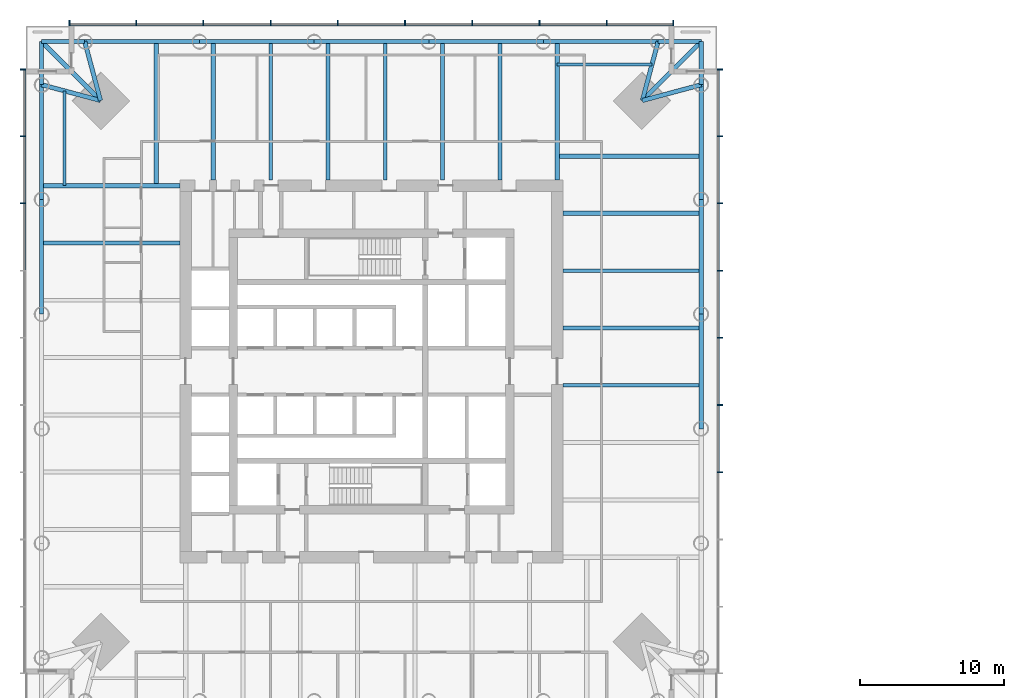
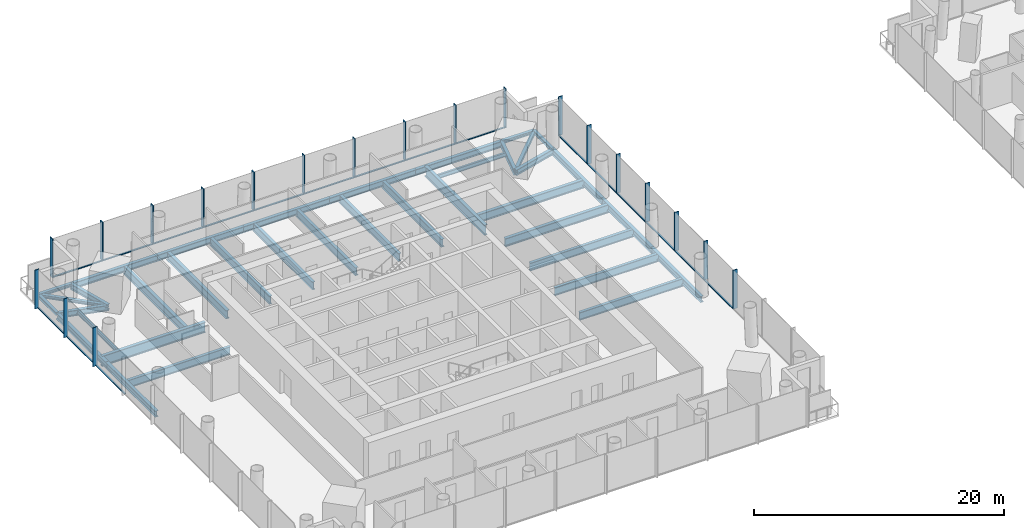
# One storey, part 3 of 18: 38 members, 37 beams, 3 elements without a shape of their own.
"""IFC4 building model written with IfcOpenShell, lengths in metres."""

from ifc_helpers import new_model, si_unit, direction, frame, origin, origin_2d, place, context, subcontext, project, spatial, rectangle, i_section, extrude, material, material_profile, profile_set, type_object, element, aggregate, save


model = new_model("IFC4")

# Units and contexts
model_context = context("Model", 3, precision=1e-05, world=origin(), true_north=direction((0.0, 1.0)))
body_context = subcontext(model_context, "Body", "Model", "MODEL_VIEW")
ifc_project = project(units=[si_unit("LENGTHUNIT", "METRE"), si_unit("AREAUNIT", "SQUARE_METRE"), si_unit("VOLUMEUNIT", "CUBIC_METRE"), si_unit("PLANEANGLEUNIT", "RADIAN"), si_unit("MASSUNIT", "GRAM", prefix="KILO")], contexts=[model_context])

# Site, building, storey
site_placement = place(None, origin())
site = spatial("IfcSite", under=ifc_project, at=site_placement, CompositionType="ELEMENT")
building_placement = place(site_placement, origin())
building = spatial("IfcBuilding", under=site, at=building_placement, Name="Ostroluk Exchange", CompositionType="ELEMENT")
storey_placement = place(building_placement, frame((0.0, 0.0, 55.199951171875)))
storey = spatial("IfcBuildingStorey", under=building, at=storey_placement, Name="L13", CompositionType="ELEMENT", Elevation=55.199951171875)

# Beams
ifc_material_1 = material(Name="Steel S355", Category="steel")
ifc_material_profile_1 = material_profile(ifc_material_1, i_section(OverallWidth=0.300048828125, OverallDepth=0.300048828125, WebThickness=0.010986328125, FlangeThickness=0.01904296875, FilletRadius=0.027099609375, at=origin_2d()), Name="HEB 300")
ifc_profile_set_1 = profile_set([ifc_material_profile_1], Name="Steel S355")
beam_type_1 = type_object("IfcBeamType", Name="Balcony beam HEB 300", PredefinedType="BEAM", material=ifc_profile_set_1)
for number, where, z_axis, x_axis, name in (
    (1, (67.9072265625, 65.9072265625, -0.329833984375), (0.0, 1.0, 0.0), (-1.0, 0.0, 0.0), "T1 east balcony beam a"),
    (2, (64.9072265625, 68.9072265625, -0.329833984375), (1.0, 0.0, 0.0), (0.0, 1.0, 0.0), "T1 east balcony beam b"),
):
    element("IfcBeam", number, at=place(storey_placement, frame(where, z_axis=z_axis, x_axis=x_axis)), inside=storey, type_object=beam_type_1, Name=name, PredefinedType="BEAM", context=body_context, shape_type="SweptSolid", body=[
        extrude(i_section(OverallWidth=0.300048828125, OverallDepth=0.300048828125, WebThickness=0.010986328125, FlangeThickness=0.01904296875, FilletRadius=0.027099609375, at=origin_2d()), origin(), (0.0, 0.0, 1.0), 3.0),
    ])
beam_1_placement = place(storey_placement, frame((63.80712890625, 64.80712890625, -0.329833984375), z_axis=(0.707106781187, 0.707106781187, 0.0), x_axis=(-0.707106781187, 0.707106781187, 0.0)))
element("IfcBeam", 3, at=beam_1_placement, inside=storey, type_object=beam_type_1, Name="T1 east balcony beam c", PredefinedType="BEAM", context=body_context, shape_type="SweptSolid", body=[
    extrude(i_section(OverallWidth=0.300048828125, OverallDepth=0.300048828125, WebThickness=0.010986328125, FlangeThickness=0.01904296875, FilletRadius=0.027099609375, at=origin_2d()), origin(), (0.0, 0.0, 1.0), 5.79833984375),
])
for number, where, z_axis, x_axis, name in (
    (4, (25.0927734375, 68.9072265625, -0.329833984375), (-1.0, 0.0, 0.0), (0.0, -1.0, 0.0), "T1 north balcony beam a"),
    (5, (22.0927734375, 65.9072265625, -0.329833984375), (0.0, 1.0, 0.0), (-1.0, 0.0, 0.0), "T1 north balcony beam b"),
):
    element("IfcBeam", number, at=place(storey_placement, frame(where, z_axis=z_axis, x_axis=x_axis)), inside=storey, type_object=beam_type_1, Name=name, PredefinedType="BEAM", context=body_context, shape_type="SweptSolid", body=[
        extrude(i_section(OverallWidth=0.300048828125, OverallDepth=0.300048828125, WebThickness=0.010986328125, FlangeThickness=0.01904296875, FilletRadius=0.027099609375, at=origin_2d()), origin(), (0.0, 0.0, 1.0), 3.0),
    ])
beam_2_placement = place(storey_placement, frame((26.19287109375, 64.80712890625, -0.329833984375), z_axis=(-0.707106781187, 0.707106781187, 0.0), x_axis=(-0.707106781187, -0.707106781187, 0.0)))
element("IfcBeam", 6, at=beam_2_placement, inside=storey, type_object=beam_type_1, Name="T1 north balcony beam c", PredefinedType="BEAM", context=body_context, shape_type="SweptSolid", body=[
    extrude(i_section(OverallWidth=0.300048828125, OverallDepth=0.300048828125, WebThickness=0.010986328125, FlangeThickness=0.01904296875, FilletRadius=0.027099609375, at=origin_2d()), origin(), (0.0, 0.0, 1.0), 5.79833984375),
])
ifc_material_2 = material(Name="Steel S355", Category="steel")
ifc_material_profile_2 = material_profile(ifc_material_2, i_section(OverallWidth=0.300048828125, OverallDepth=0.550048828125, WebThickness=0.014892578125, FlangeThickness=0.029052734375, FilletRadius=0.027099609375, at=origin_2d()), Name="HEB 550")
ifc_profile_set_2 = profile_set([ifc_material_profile_2], Name="Steel S355")
beam_type_2 = type_object("IfcBeamType", Name="Corner edge beam HEB 550", PredefinedType="SPANDREL", material=ifc_profile_set_2)
for number, where, z_axis, x_axis, name in (
    (7, (63.80712890625, 64.80712890625, -0.454833984375), (0.965838624319, 0.259144268261, 0.0), (-0.259144268261, 0.965838624319, 0.0), "T1 east corner edge beam a"),
    (8, (63.80712890625, 64.80712890625, -0.454833984375), (0.259144268261, 0.965838624319, 0.0), (-0.965838624319, 0.259144268261, 0.0), "T1 east corner edge beam b"),
    (9, (26.19287109375, 64.80712890625, -0.454833984375), (-0.259144268261, 0.965838624319, 0.0), (-0.965838624319, -0.259144268261, 0.0), "T1 north corner edge beam a"),
    (10, (26.19287109375, 64.80712890625, -0.454833984375), (-0.965838624319, 0.259144268261, 0.0), (-0.259144268261, -0.965838624319, 0.0), "T1 north corner edge beam b"),
):
    element("IfcBeam", number, at=place(storey_placement, frame(where, z_axis=z_axis, x_axis=x_axis)), inside=storey, type_object=beam_type_2, Name=name, PredefinedType="SPANDREL", context=body_context, shape_type="SweptSolid", body=[
        extrude(i_section(OverallWidth=0.300048828125, OverallDepth=0.550048828125, WebThickness=0.014892578125, FlangeThickness=0.029052734375, FilletRadius=0.027099609375, at=origin_2d()), origin(), (0.0, 0.0, 1.0), 4.2451171875),
    ])
ifc_material_3 = material(Name="Steel S355", Category="steel")
ifc_material_profile_3 = material_profile(ifc_material_3, i_section(OverallWidth=0.302978515625, OverallDepth=0.81396484375, WebThickness=0.02099609375, FlangeThickness=0.0400390625, FilletRadius=0.030029296875, at=origin_2d()), Name="HEM 800")
ifc_profile_set_3 = profile_set([ifc_material_profile_3], Name="Steel S355")
beam_type_3 = type_object("IfcBeamType", Name="Floor beam HEM 800", PredefinedType="BEAM", material=ifc_profile_set_3)
beam_3_placement = place(storey_placement, frame((58.300048828125, 56.971435546875, -0.5869140625), z_axis=(1.0, 0.0, 0.0), x_axis=(0.0, 1.0, 0.0)))
element("IfcBeam", 11, at=beam_3_placement, inside=storey, type_object=beam_type_3, Name="T1 east floor beam 6", PredefinedType="BEAM", context=body_context, shape_type="SweptSolid", body=[
    extrude(i_section(OverallWidth=0.302978515625, OverallDepth=0.81396484375, WebThickness=0.02099609375, FlangeThickness=0.0400390625, FilletRadius=0.030029296875, at=origin_2d()), origin(), (0.0, 0.0, 1.0), 9.607177734375),
])
beam_4_placement = place(storey_placement, frame((57.89990234375, 60.949951171875, -0.5869140625), z_axis=(1.0, 0.0, 0.0), x_axis=(0.0, 1.0, 0.0)))
element("IfcBeam", 12, at=beam_4_placement, inside=storey, type_object=beam_type_3, Name="T1 east floor beam 7", PredefinedType="BEAM", context=body_context, shape_type="SweptSolid", body=[
    extrude(i_section(OverallWidth=0.302978515625, OverallDepth=0.81396484375, WebThickness=0.02099609375, FlangeThickness=0.0400390625, FilletRadius=0.030029296875, at=origin_2d()), origin(), (0.0, 0.0, 1.0), 10.00732421875),
])
beam_5_placement = place(storey_placement, frame((34.028564453125, 59.300048828125, -0.5869140625), z_axis=(0.0, 1.0, 0.0), x_axis=(-1.0, 0.0, 0.0)))
element("IfcBeam", 13, at=beam_5_placement, inside=storey, type_object=beam_type_3, Name="T1 north floor beam 6", PredefinedType="BEAM", context=body_context, shape_type="SweptSolid", body=[
    extrude(i_section(OverallWidth=0.302978515625, OverallDepth=0.81396484375, WebThickness=0.02099609375, FlangeThickness=0.0400390625, FilletRadius=0.030029296875, at=origin_2d()), origin(), (0.0, 0.0, 1.0), 9.607177734375),
])
beam_6_placement = place(storey_placement, frame((30.050048828125, 58.89990234375, -0.5869140625), z_axis=(0.0, 1.0, 0.0), x_axis=(-1.0, 0.0, 0.0)))
element("IfcBeam", 14, at=beam_6_placement, inside=storey, type_object=beam_type_3, Name="T1 north floor beam 7", PredefinedType="BEAM", context=body_context, shape_type="SweptSolid", body=[
    extrude(i_section(OverallWidth=0.302978515625, OverallDepth=0.81396484375, WebThickness=0.02099609375, FlangeThickness=0.0400390625, FilletRadius=0.030029296875, at=origin_2d()), origin(), (0.0, 0.0, 1.0), 10.00732421875),
])
ifc_material_4 = material(Name="Steel S355", Category="steel")
ifc_material_profile_4 = material_profile(ifc_material_4, i_section(OverallWidth=0.179931640625, OverallDepth=0.39990234375, WebThickness=0.008544921875, FlangeThickness=0.013427734375, FilletRadius=0.02099609375, at=origin_2d()), Name="IPE 400")
ifc_profile_set_4 = profile_set([ifc_material_profile_4], Name="Steel S355")
beam_type_4 = type_object("IfcBeamType", Name="Floor beam IPE 400", PredefinedType="BEAM", material=ifc_profile_set_4)
for number, where, z_axis, x_axis, name in (
    (15, (57.89990234375, 67.30712890625, -0.3798828125), (1.0, 0.0, 0.0), (0.0, 1.0, 0.0), "T1 east floor beam 8"),
    (16, (23.69287109375, 58.89990234375, -0.3798828125), (0.0, 1.0, 0.0), (-1.0, 0.0, 0.0), "T1 north floor beam 8"),
):
    element("IfcBeam", number, at=place(storey_placement, frame(where, z_axis=z_axis, x_axis=x_axis)), inside=storey, type_object=beam_type_4, Name=name, PredefinedType="BEAM", context=body_context, shape_type="SweptSolid", body=[
        extrude(i_section(OverallWidth=0.179931640625, OverallDepth=0.39990234375, WebThickness=0.008544921875, FlangeThickness=0.013427734375, FilletRadius=0.02099609375, at=origin_2d()), origin(), (0.0, 0.0, 1.0), 6.577880859375),
    ])
ifc_material_5 = material(Name="Steel S355", Category="steel")
ifc_material_profile_5 = material_profile(ifc_material_5, i_section(OverallWidth=0.26806640625, OverallDepth=0.77001953125, WebThickness=0.015625, FlangeThickness=0.025390625, FilletRadius=0.01708984375, at=origin_2d()), Name="IPE 750x196")
ifc_profile_set_5 = profile_set([ifc_material_profile_5], Name="Steel S355")
beam_type_5 = type_object("IfcBeamType", Name="Floor beam IPE 750x196", PredefinedType="BEAM", material=ifc_profile_set_5)
for number, where, z_axis, x_axis, name in (
    (17, (58.300048828125, 45.03564453125, -0.56494140625), (1.0, 0.0, 0.0), (0.0, 1.0, 0.0), "T1 east floor beam 3"),
    (18, (58.300048828125, 49.014404296875, -0.56494140625), (1.0, 0.0, 0.0), (0.0, 1.0, 0.0), "T1 east floor beam 4"),
    (19, (58.300048828125, 52.992919921875, -0.56494140625), (1.0, 0.0, 0.0), (0.0, 1.0, 0.0), "T1 east floor beam 5"),
    (20, (53.92138671875, 59.300048828125, -0.56494140625), (0.0, 1.0, 0.0), (-1.0, 0.0, 0.0), "T1 north floor beam 1"),
    (21, (49.94287109375, 59.300048828125, -0.56494140625), (0.0, 1.0, 0.0), (-1.0, 0.0, 0.0), "T1 north floor beam 2"),
    (22, (45.96435546875, 59.300048828125, -0.56494140625), (0.0, 1.0, 0.0), (-1.0, 0.0, 0.0), "T1 north floor beam 3"),
    (23, (41.985595703125, 59.300048828125, -0.56494140625), (0.0, 1.0, 0.0), (-1.0, 0.0, 0.0), "T1 north floor beam 4"),
    (24, (38.007080078125, 59.300048828125, -0.56494140625), (0.0, 1.0, 0.0), (-1.0, 0.0, 0.0), "T1 north floor beam 5"),
    (25, (31.699951171875, 54.92138671875, -0.56494140625), (-1.0, 0.0, 0.0), (0.0, -1.0, 0.0), "T1 west floor beam 1"),
):
    element("IfcBeam", number, at=place(storey_placement, frame(where, z_axis=z_axis, x_axis=x_axis)), inside=storey, type_object=beam_type_5, Name=name, PredefinedType="BEAM", context=body_context, shape_type="SweptSolid", body=[
        extrude(i_section(OverallWidth=0.26806640625, OverallDepth=0.77001953125, WebThickness=0.015625, FlangeThickness=0.025390625, FilletRadius=0.01708984375, at=origin_2d()), origin(), (0.0, 0.0, 1.0), 9.607177734375),
    ])
ifc_material_6 = material(Name="Steel S355", Category="steel")
ifc_material_profile_6 = material_profile(ifc_material_6, i_section(OverallWidth=0.302001953125, OverallDepth=1.008056640625, WebThickness=0.02099609375, FlangeThickness=0.0400390625, FilletRadius=0.030029296875, at=origin_2d()), Name="HEM 1000")
ifc_profile_set_6 = profile_set([ifc_material_profile_6], Name="Steel S355")
beam_type_6 = type_object("IfcBeamType", Name="Girder HEM 1000", PredefinedType="BEAM", material=ifc_profile_set_6)
for number, where, z_axis, x_axis, name in (
    (26, (57.89990234375, 59.300048828125, -0.683837890625), (0.0, 1.0, 0.0), (-1.0, 0.0, 0.0), "T1 east girder"),
    (27, (31.699951171875, 58.89990234375, -0.683837890625), (-1.0, 0.0, 0.0), (0.0, -1.0, 0.0), "T1 north girder"),
):
    element("IfcBeam", number, at=place(storey_placement, frame(where, z_axis=z_axis, x_axis=x_axis)), inside=storey, type_object=beam_type_6, Name=name, PredefinedType="BEAM", context=body_context, shape_type="SweptSolid", body=[
        extrude(i_section(OverallWidth=0.302001953125, OverallDepth=1.008056640625, WebThickness=0.02099609375, FlangeThickness=0.0400390625, FilletRadius=0.030029296875, at=origin_2d()), origin(), (0.0, 0.0, 1.0), 9.607177734375),
    ])
ifc_material_7 = material(Name="Steel S355", Category="steel")
ifc_material_profile_7 = material_profile(ifc_material_7, i_section(OverallWidth=0.300048828125, OverallDepth=0.60009765625, WebThickness=0.015380859375, FlangeThickness=0.030029296875, FilletRadius=0.027099609375, at=origin_2d()), Name="HEB 600")
ifc_profile_set_7 = profile_set([ifc_material_profile_7], Name="Steel S355")
beam_type_7 = type_object("IfcBeamType", Name="Moment-connected edge beam HEB 600", PredefinedType="SPANDREL", material=ifc_profile_set_7)
for number, where, z_axis, x_axis, name in (
    (28, (67.9072265625, 42.0185546875, -0.47998046875), (0.0, 1.0, 0.0), (-1.0, 0.0, 0.0), "T1 east edge beam 3"),
    (29, (67.9072265625, 49.9814453125, -0.47998046875), (0.0, 1.0, 0.0), (-1.0, 0.0, 0.0), "T1 east edge beam 4"),
    (30, (67.9072265625, 57.9443359375, -0.47998046875), (0.0, 1.0, 0.0), (-1.0, 0.0, 0.0), "T1 east edge beam 5"),
    (31, (64.9072265625, 68.9072265625, -0.47998046875), (-1.0, 0.0, 0.0), (0.0, -1.0, 0.0), "T1 north edge beam 1"),
    (32, (56.9443359375, 68.9072265625, -0.47998046875), (-1.0, 0.0, 0.0), (0.0, -1.0, 0.0), "T1 north edge beam 2"),
    (33, (48.9814453125, 68.9072265625, -0.47998046875), (-1.0, 0.0, 0.0), (0.0, -1.0, 0.0), "T1 north edge beam 3"),
    (34, (41.0185546875, 68.9072265625, -0.47998046875), (-1.0, 0.0, 0.0), (0.0, -1.0, 0.0), "T1 north edge beam 4"),
    (35, (33.0556640625, 68.9072265625, -0.47998046875), (-1.0, 0.0, 0.0), (0.0, -1.0, 0.0), "T1 north edge beam 5"),
    (36, (22.0927734375, 65.9072265625, -0.47998046875), (0.0, -1.0, 0.0), (1.0, 0.0, 0.0), "T1 west edge beam 1"),
    (37, (22.0927734375, 57.9443359375, -0.47998046875), (0.0, -1.0, 0.0), (1.0, 0.0, 0.0), "T1 west edge beam 2"),
):
    element("IfcBeam", number, at=place(storey_placement, frame(where, z_axis=z_axis, x_axis=x_axis)), inside=storey, type_object=beam_type_7, Name=name, PredefinedType="SPANDREL", context=body_context, shape_type="SweptSolid", body=[
        extrude(i_section(OverallWidth=0.300048828125, OverallDepth=0.60009765625, WebThickness=0.015380859375, FlangeThickness=0.030029296875, FilletRadius=0.027099609375, at=origin_2d()), origin(), (0.0, 0.0, 1.0), 7.962890625),
    ])

# Curtain wall, members
ifc_material_8 = material(Name="Laminated clear glass", Category="glass")
curtain_wall_type = type_object("IfcCurtainWallType", Name="Office tower facade", PredefinedType="USERDEFINED", material=ifc_material_8)
curtain_wall_1_placement = place(storey_placement, origin())
curtain_wall_1 = element("IfcCurtainWall", 38, at=curtain_wall_1_placement, inside=storey, type_object=curtain_wall_type, Name="Office tower east facade L13", ObjectType="UNITISED CURTAIN WALL", PredefinedType="USERDEFINED")
ifc_material_9 = material(Name="Aluminium mullion", Category="aluminium")
ifc_material_profile_8 = material_profile(ifc_material_9, rectangle(XDim=0.14990234375, YDim=0.080078125, at=origin_2d()), Name="Sill transom 80 x 150")
ifc_profile_set_8 = profile_set([ifc_material_profile_8], Name="Aluminium mullion")
member_type_1 = type_object("IfcMemberType", Name="Sill transom 80 x 150", PredefinedType="USERDEFINED", material=ifc_profile_set_8)
member_1_placement = place(storey_placement, frame((69.074951171875, 39.0400390625, 0.0400390625), z_axis=(0.0, 1.0, 0.0), x_axis=(-1.0, 0.0, 0.0)))
member_1 = element("IfcMember", 39, at=member_1_placement, type_object=member_type_1, Name="CW-O1 transom 4.1", ObjectType="TRANSOM", PredefinedType="USERDEFINED", context=body_context, shape_type="SweptSolid", body=[
    extrude(rectangle(XDim=0.14990234375, YDim=0.080078125, at=origin_2d()), origin(), (0.0, 0.0, 1.0), 4.586669921875),
])
member_2_placement = place(storey_placement, frame((69.074951171875, 43.706787109375, 0.0400390625), z_axis=(0.0, 1.0, 0.0), x_axis=(-1.0, 0.0, 0.0)))
member_2 = element("IfcMember", 40, at=member_2_placement, type_object=member_type_1, Name="CW-O1 transom 5.1", ObjectType="TRANSOM", PredefinedType="USERDEFINED", context=body_context, shape_type="SweptSolid", body=[
    extrude(rectangle(XDim=0.14990234375, YDim=0.080078125, at=origin_2d()), origin(), (0.0, 0.0, 1.0), 4.58642578125),
])
member_3_placement = place(storey_placement, frame((69.074951171875, 48.373291015625, 0.0400390625), z_axis=(0.0, 1.0, 0.0), x_axis=(-1.0, 0.0, 0.0)))
member_3 = element("IfcMember", 41, at=member_3_placement, type_object=member_type_1, Name="CW-O1 transom 6.1", ObjectType="TRANSOM", PredefinedType="USERDEFINED", context=body_context, shape_type="SweptSolid", body=[
    extrude(rectangle(XDim=0.14990234375, YDim=0.080078125, at=origin_2d()), origin(), (0.0, 0.0, 1.0), 4.586669921875),
])
member_4_placement = place(storey_placement, frame((69.074951171875, 53.0400390625, 0.0400390625), z_axis=(0.0, 1.0, 0.0), x_axis=(-1.0, 0.0, 0.0)))
member_4 = element("IfcMember", 42, at=member_4_placement, type_object=member_type_1, Name="CW-O1 transom 7.1", ObjectType="TRANSOM", PredefinedType="USERDEFINED", context=body_context, shape_type="SweptSolid", body=[
    extrude(rectangle(XDim=0.14990234375, YDim=0.080078125, at=origin_2d()), origin(), (0.0, 0.0, 1.0), 4.586669921875),
])
member_5_placement = place(storey_placement, frame((69.074951171875, 57.706787109375, 0.0400390625), z_axis=(0.0, 1.0, 0.0), x_axis=(-1.0, 0.0, 0.0)))
member_5 = element("IfcMember", 43, at=member_5_placement, type_object=member_type_1, Name="CW-O1 transom 8.1", ObjectType="TRANSOM", PredefinedType="USERDEFINED", context=body_context, shape_type="SweptSolid", body=[
    extrude(rectangle(XDim=0.14990234375, YDim=0.080078125, at=origin_2d()), origin(), (0.0, 0.0, 1.0), 4.58642578125),
])
member_6_placement = place(storey_placement, frame((69.074951171875, 62.373291015625, 0.0400390625), z_axis=(0.0, 1.0, 0.0), x_axis=(-1.0, 0.0, 0.0)))
member_6 = element("IfcMember", 44, at=member_6_placement, type_object=member_type_1, Name="CW-O1 transom 9.1", ObjectType="TRANSOM", PredefinedType="USERDEFINED", context=body_context, shape_type="SweptSolid", body=[
    extrude(rectangle(XDim=0.14990234375, YDim=0.080078125, at=origin_2d()), origin(), (0.0, 0.0, 1.0), 4.546630859375),
])

curtain_wall_2_placement = place(storey_placement, origin())
curtain_wall_2 = element("IfcCurtainWall", 45, at=curtain_wall_2_placement, inside=storey, type_object=curtain_wall_type, Name="Office tower north facade L13", ObjectType="UNITISED CURTAIN WALL", PredefinedType="USERDEFINED")
member_7_placement = place(storey_placement, frame((65.919921875, 70.074951171875, 0.0400390625), z_axis=(-1.0, 0.0, 0.0), x_axis=(0.0, -1.0, 0.0)))
member_7 = element("IfcMember", 46, at=member_7_placement, type_object=member_type_1, Name="CW-O1 transom 1.1", ObjectType="TRANSOM", PredefinedType="USERDEFINED", context=body_context, shape_type="SweptSolid", body=[
    extrude(rectangle(XDim=0.14990234375, YDim=0.080078125, at=origin_2d()), origin(), (0.0, 0.0, 1.0), 4.546630859375),
])
member_8_placement = place(storey_placement, frame((61.293212890625, 70.074951171875, 0.0400390625), z_axis=(-1.0, 0.0, 0.0), x_axis=(0.0, -1.0, 0.0)))
member_8 = element("IfcMember", 47, at=member_8_placement, type_object=member_type_1, Name="CW-O1 transom 2.1", ObjectType="TRANSOM", PredefinedType="USERDEFINED", context=body_context, shape_type="SweptSolid", body=[
    extrude(rectangle(XDim=0.14990234375, YDim=0.080078125, at=origin_2d()), origin(), (0.0, 0.0, 1.0), 4.58642578125),
])
member_9_placement = place(storey_placement, frame((56.626708984375, 70.074951171875, 0.0400390625), z_axis=(-1.0, 0.0, 0.0), x_axis=(0.0, -1.0, 0.0)))
member_9 = element("IfcMember", 48, at=member_9_placement, type_object=member_type_1, Name="CW-O1 transom 3.1", ObjectType="TRANSOM", PredefinedType="USERDEFINED", context=body_context, shape_type="SweptSolid", body=[
    extrude(rectangle(XDim=0.14990234375, YDim=0.080078125, at=origin_2d()), origin(), (0.0, 0.0, 1.0), 4.586669921875),
])
member_10_placement = place(storey_placement, frame((51.9599609375, 70.074951171875, 0.0400390625), z_axis=(-1.0, 0.0, 0.0), x_axis=(0.0, -1.0, 0.0)))
member_10 = element("IfcMember", 49, at=member_10_placement, type_object=member_type_1, Name="CW-O1 transom 4.1", ObjectType="TRANSOM", PredefinedType="USERDEFINED", context=body_context, shape_type="SweptSolid", body=[
    extrude(rectangle(XDim=0.14990234375, YDim=0.080078125, at=origin_2d()), origin(), (0.0, 0.0, 1.0), 4.586669921875),
])
member_11_placement = place(storey_placement, frame((47.293212890625, 70.074951171875, 0.0400390625), z_axis=(-1.0, 0.0, 0.0), x_axis=(0.0, -1.0, 0.0)))
member_11 = element("IfcMember", 50, at=member_11_placement, type_object=member_type_1, Name="CW-O1 transom 5.1", ObjectType="TRANSOM", PredefinedType="USERDEFINED", context=body_context, shape_type="SweptSolid", body=[
    extrude(rectangle(XDim=0.14990234375, YDim=0.080078125, at=origin_2d()), origin(), (0.0, 0.0, 1.0), 4.58642578125),
])
member_12_placement = place(storey_placement, frame((42.626708984375, 70.074951171875, 0.0400390625), z_axis=(-1.0, 0.0, 0.0), x_axis=(0.0, -1.0, 0.0)))
member_12 = element("IfcMember", 51, at=member_12_placement, type_object=member_type_1, Name="CW-O1 transom 6.1", ObjectType="TRANSOM", PredefinedType="USERDEFINED", context=body_context, shape_type="SweptSolid", body=[
    extrude(rectangle(XDim=0.14990234375, YDim=0.080078125, at=origin_2d()), origin(), (0.0, 0.0, 1.0), 4.586669921875),
])
member_13_placement = place(storey_placement, frame((37.9599609375, 70.074951171875, 0.0400390625), z_axis=(-1.0, 0.0, 0.0), x_axis=(0.0, -1.0, 0.0)))
member_13 = element("IfcMember", 52, at=member_13_placement, type_object=member_type_1, Name="CW-O1 transom 7.1", ObjectType="TRANSOM", PredefinedType="USERDEFINED", context=body_context, shape_type="SweptSolid", body=[
    extrude(rectangle(XDim=0.14990234375, YDim=0.080078125, at=origin_2d()), origin(), (0.0, 0.0, 1.0), 4.586669921875),
])
member_14_placement = place(storey_placement, frame((33.293212890625, 70.074951171875, 0.0400390625), z_axis=(-1.0, 0.0, 0.0), x_axis=(0.0, -1.0, 0.0)))
member_14 = element("IfcMember", 53, at=member_14_placement, type_object=member_type_1, Name="CW-O1 transom 8.1", ObjectType="TRANSOM", PredefinedType="USERDEFINED", context=body_context, shape_type="SweptSolid", body=[
    extrude(rectangle(XDim=0.14990234375, YDim=0.080078125, at=origin_2d()), origin(), (0.0, 0.0, 1.0), 4.58642578125),
])
member_15_placement = place(storey_placement, frame((28.626708984375, 70.074951171875, 0.0400390625), z_axis=(-1.0, 0.0, 0.0), x_axis=(0.0, -1.0, 0.0)))
member_15 = element("IfcMember", 54, at=member_15_placement, type_object=member_type_1, Name="CW-O1 transom 9.1", ObjectType="TRANSOM", PredefinedType="USERDEFINED", context=body_context, shape_type="SweptSolid", body=[
    extrude(rectangle(XDim=0.14990234375, YDim=0.080078125, at=origin_2d()), origin(), (0.0, 0.0, 1.0), 4.546630859375),
])

curtain_wall_3_placement = place(storey_placement, origin())
curtain_wall_3 = element("IfcCurtainWall", 55, at=curtain_wall_3_placement, inside=storey, type_object=curtain_wall_type, Name="Office tower west facade L13", ObjectType="UNITISED CURTAIN WALL", PredefinedType="USERDEFINED")
member_16_placement = place(storey_placement, frame((20.925048828125, 66.919921875, 0.0400390625), z_axis=(0.0, -1.0, 0.0), x_axis=(1.0, 0.0, 0.0)))
member_16 = element("IfcMember", 56, at=member_16_placement, type_object=member_type_1, Name="CW-O1 transom 1.1", ObjectType="TRANSOM", PredefinedType="USERDEFINED", context=body_context, shape_type="SweptSolid", body=[
    extrude(rectangle(XDim=0.14990234375, YDim=0.080078125, at=origin_2d()), origin(), (0.0, 0.0, 1.0), 4.546630859375),
])
member_17_placement = place(storey_placement, frame((20.925048828125, 62.293212890625, 0.0400390625), z_axis=(0.0, -1.0, 0.0), x_axis=(1.0, 0.0, 0.0)))
member_17 = element("IfcMember", 57, at=member_17_placement, type_object=member_type_1, Name="CW-O1 transom 2.1", ObjectType="TRANSOM", PredefinedType="USERDEFINED", context=body_context, shape_type="SweptSolid", body=[
    extrude(rectangle(XDim=0.14990234375, YDim=0.080078125, at=origin_2d()), origin(), (0.0, 0.0, 1.0), 4.58642578125),
])
member_18_placement = place(storey_placement, frame((20.925048828125, 57.626708984375, 0.0400390625), z_axis=(0.0, -1.0, 0.0), x_axis=(1.0, 0.0, 0.0)))
member_18 = element("IfcMember", 58, at=member_18_placement, type_object=member_type_1, Name="CW-O1 transom 3.1", ObjectType="TRANSOM", PredefinedType="USERDEFINED", context=body_context, shape_type="SweptSolid", body=[
    extrude(rectangle(XDim=0.14990234375, YDim=0.080078125, at=origin_2d()), origin(), (0.0, 0.0, 1.0), 4.586669921875),
])

# Member
ifc_material_10 = material(Name="Aluminium mullion with limestone facing", Category="masonry")
ifc_material_profile_9 = material_profile(ifc_material_10, rectangle(XDim=0.39990234375, YDim=0.080078125, at=origin_2d()), Name="Tracery mullion 80 x 400")
ifc_profile_set_9 = profile_set([ifc_material_profile_9], Name="Aluminium mullion with limestone facing")
member_type_2 = type_object("IfcMemberType", Name="Tracery mullion 80 x 400", PredefinedType="MULLION", material=ifc_profile_set_9)
member_19_placement = place(storey_placement, frame((69.199951171875, 39.0, 0.0), z_axis=(0.0, 0.0, 1.0), x_axis=(-1.0, 0.0, 0.0)))
member_19 = element("IfcMember", 59, at=member_19_placement, type_object=member_type_2, Name="CW-O1 mullion 4", PredefinedType="MULLION", context=body_context, shape_type="SweptSolid", body=[
    extrude(rectangle(XDim=0.39990234375, YDim=0.080078125, at=origin_2d()), origin(), (0.0, 0.0, 1.0), 3.800048828125),
])

member_20_placement = place(storey_placement, frame((69.199951171875, 43.666748046875, 0.0), z_axis=(0.0, 0.0, 1.0), x_axis=(-1.0, 0.0, 0.0)))
member_20 = element("IfcMember", 60, at=member_20_placement, type_object=member_type_2, Name="CW-O1 mullion 5", PredefinedType="MULLION", context=body_context, shape_type="SweptSolid", body=[
    extrude(rectangle(XDim=0.39990234375, YDim=0.080078125, at=origin_2d()), origin(), (0.0, 0.0, 1.0), 3.800048828125),
])

member_21_placement = place(storey_placement, frame((69.199951171875, 48.333251953125, 0.0), z_axis=(0.0, 0.0, 1.0), x_axis=(-1.0, 0.0, 0.0)))
member_21 = element("IfcMember", 61, at=member_21_placement, type_object=member_type_2, Name="CW-O1 mullion 6", PredefinedType="MULLION", context=body_context, shape_type="SweptSolid", body=[
    extrude(rectangle(XDim=0.39990234375, YDim=0.080078125, at=origin_2d()), origin(), (0.0, 0.0, 1.0), 3.800048828125),
])

member_22_placement = place(storey_placement, frame((69.199951171875, 53.0, 0.0), z_axis=(0.0, 0.0, 1.0), x_axis=(-1.0, 0.0, 0.0)))
member_22 = element("IfcMember", 62, at=member_22_placement, type_object=member_type_2, Name="CW-O1 mullion 7", PredefinedType="MULLION", context=body_context, shape_type="SweptSolid", body=[
    extrude(rectangle(XDim=0.39990234375, YDim=0.080078125, at=origin_2d()), origin(), (0.0, 0.0, 1.0), 3.800048828125),
])

member_23_placement = place(storey_placement, frame((69.199951171875, 57.666748046875, 0.0), z_axis=(0.0, 0.0, 1.0), x_axis=(-1.0, 0.0, 0.0)))
member_23 = element("IfcMember", 63, at=member_23_placement, type_object=member_type_2, Name="CW-O1 mullion 8", PredefinedType="MULLION", context=body_context, shape_type="SweptSolid", body=[
    extrude(rectangle(XDim=0.39990234375, YDim=0.080078125, at=origin_2d()), origin(), (0.0, 0.0, 1.0), 3.800048828125),
])

member_24_placement = place(storey_placement, frame((69.199951171875, 62.333251953125, 0.0), z_axis=(0.0, 0.0, 1.0), x_axis=(-1.0, 0.0, 0.0)))
member_24 = element("IfcMember", 64, at=member_24_placement, type_object=member_type_2, Name="CW-O1 mullion 9", PredefinedType="MULLION", context=body_context, shape_type="SweptSolid", body=[
    extrude(rectangle(XDim=0.39990234375, YDim=0.080078125, at=origin_2d()), origin(), (0.0, 0.0, 1.0), 3.800048828125),
])

member_25_placement = place(storey_placement, frame((69.199951171875, 66.9599609375, 0.0), z_axis=(0.0, 0.0, 1.0), x_axis=(-1.0, 0.0, 0.0)))
member_25 = element("IfcMember", 65, at=member_25_placement, type_object=member_type_2, Name="CW-O1 mullion 10", PredefinedType="MULLION", context=body_context, shape_type="SweptSolid", body=[
    extrude(rectangle(XDim=0.39990234375, YDim=0.080078125, at=origin_2d()), origin(), (0.0, 0.0, 1.0), 3.800048828125),
])

aggregate(curtain_wall_1, [member_19, member_20, member_21, member_22, member_23, member_24, member_25, member_1, member_2, member_3, member_4, member_5, member_6])

member_26_placement = place(storey_placement, frame((65.9599609375, 70.199951171875, 0.0), z_axis=(0.0, 0.0, 1.0), x_axis=(0.0, -1.0, 0.0)))
member_26 = element("IfcMember", 66, at=member_26_placement, type_object=member_type_2, Name="CW-O1 mullion 1", PredefinedType="MULLION", context=body_context, shape_type="SweptSolid", body=[
    extrude(rectangle(XDim=0.39990234375, YDim=0.080078125, at=origin_2d()), origin(), (0.0, 0.0, 1.0), 3.800048828125),
])

member_27_placement = place(storey_placement, frame((61.333251953125, 70.199951171875, 0.0), z_axis=(0.0, 0.0, 1.0), x_axis=(0.0, -1.0, 0.0)))
member_27 = element("IfcMember", 67, at=member_27_placement, type_object=member_type_2, Name="CW-O1 mullion 2", PredefinedType="MULLION", context=body_context, shape_type="SweptSolid", body=[
    extrude(rectangle(XDim=0.39990234375, YDim=0.080078125, at=origin_2d()), origin(), (0.0, 0.0, 1.0), 3.800048828125),
])

member_28_placement = place(storey_placement, frame((56.666748046875, 70.199951171875, 0.0), z_axis=(0.0, 0.0, 1.0), x_axis=(0.0, -1.0, 0.0)))
member_28 = element("IfcMember", 68, at=member_28_placement, type_object=member_type_2, Name="CW-O1 mullion 3", PredefinedType="MULLION", context=body_context, shape_type="SweptSolid", body=[
    extrude(rectangle(XDim=0.39990234375, YDim=0.080078125, at=origin_2d()), origin(), (0.0, 0.0, 1.0), 3.800048828125),
])

member_29_placement = place(storey_placement, frame((52.0, 70.199951171875, 0.0), z_axis=(0.0, 0.0, 1.0), x_axis=(0.0, -1.0, 0.0)))
member_29 = element("IfcMember", 69, at=member_29_placement, type_object=member_type_2, Name="CW-O1 mullion 4", PredefinedType="MULLION", context=body_context, shape_type="SweptSolid", body=[
    extrude(rectangle(XDim=0.39990234375, YDim=0.080078125, at=origin_2d()), origin(), (0.0, 0.0, 1.0), 3.800048828125),
])

member_30_placement = place(storey_placement, frame((47.333251953125, 70.199951171875, 0.0), z_axis=(0.0, 0.0, 1.0), x_axis=(0.0, -1.0, 0.0)))
member_30 = element("IfcMember", 70, at=member_30_placement, type_object=member_type_2, Name="CW-O1 mullion 5", PredefinedType="MULLION", context=body_context, shape_type="SweptSolid", body=[
    extrude(rectangle(XDim=0.39990234375, YDim=0.080078125, at=origin_2d()), origin(), (0.0, 0.0, 1.0), 3.800048828125),
])

member_31_placement = place(storey_placement, frame((42.666748046875, 70.199951171875, 0.0), z_axis=(0.0, 0.0, 1.0), x_axis=(0.0, -1.0, 0.0)))
member_31 = element("IfcMember", 71, at=member_31_placement, type_object=member_type_2, Name="CW-O1 mullion 6", PredefinedType="MULLION", context=body_context, shape_type="SweptSolid", body=[
    extrude(rectangle(XDim=0.39990234375, YDim=0.080078125, at=origin_2d()), origin(), (0.0, 0.0, 1.0), 3.800048828125),
])

member_32_placement = place(storey_placement, frame((38.0, 70.199951171875, 0.0), z_axis=(0.0, 0.0, 1.0), x_axis=(0.0, -1.0, 0.0)))
member_32 = element("IfcMember", 72, at=member_32_placement, type_object=member_type_2, Name="CW-O1 mullion 7", PredefinedType="MULLION", context=body_context, shape_type="SweptSolid", body=[
    extrude(rectangle(XDim=0.39990234375, YDim=0.080078125, at=origin_2d()), origin(), (0.0, 0.0, 1.0), 3.800048828125),
])

member_33_placement = place(storey_placement, frame((33.333251953125, 70.199951171875, 0.0), z_axis=(0.0, 0.0, 1.0), x_axis=(0.0, -1.0, 0.0)))
member_33 = element("IfcMember", 73, at=member_33_placement, type_object=member_type_2, Name="CW-O1 mullion 8", PredefinedType="MULLION", context=body_context, shape_type="SweptSolid", body=[
    extrude(rectangle(XDim=0.39990234375, YDim=0.080078125, at=origin_2d()), origin(), (0.0, 0.0, 1.0), 3.800048828125),
])

member_34_placement = place(storey_placement, frame((28.666748046875, 70.199951171875, 0.0), z_axis=(0.0, 0.0, 1.0), x_axis=(0.0, -1.0, 0.0)))
member_34 = element("IfcMember", 74, at=member_34_placement, type_object=member_type_2, Name="CW-O1 mullion 9", PredefinedType="MULLION", context=body_context, shape_type="SweptSolid", body=[
    extrude(rectangle(XDim=0.39990234375, YDim=0.080078125, at=origin_2d()), origin(), (0.0, 0.0, 1.0), 3.800048828125),
])

member_35_placement = place(storey_placement, frame((24.0400390625, 70.199951171875, 0.0), z_axis=(0.0, 0.0, 1.0), x_axis=(0.0, -1.0, 0.0)))
member_35 = element("IfcMember", 75, at=member_35_placement, type_object=member_type_2, Name="CW-O1 mullion 10", PredefinedType="MULLION", context=body_context, shape_type="SweptSolid", body=[
    extrude(rectangle(XDim=0.39990234375, YDim=0.080078125, at=origin_2d()), origin(), (0.0, 0.0, 1.0), 3.800048828125),
])

aggregate(curtain_wall_2, [member_26, member_27, member_28, member_29, member_30, member_31, member_32, member_33, member_34, member_35, member_7, member_8, member_9, member_10, member_11, member_12, member_13, member_14, member_15])

member_36_placement = place(storey_placement, frame((20.800048828125, 66.9599609375, 0.0), z_axis=(0.0, 0.0, 1.0), x_axis=(1.0, 0.0, 0.0)))
member_36 = element("IfcMember", 76, at=member_36_placement, type_object=member_type_2, Name="CW-O1 mullion 1", PredefinedType="MULLION", context=body_context, shape_type="SweptSolid", body=[
    extrude(rectangle(XDim=0.39990234375, YDim=0.080078125, at=origin_2d()), origin(), (0.0, 0.0, 1.0), 3.800048828125),
])

member_37_placement = place(storey_placement, frame((20.800048828125, 62.333251953125, 0.0), z_axis=(0.0, 0.0, 1.0), x_axis=(1.0, 0.0, 0.0)))
member_37 = element("IfcMember", 77, at=member_37_placement, type_object=member_type_2, Name="CW-O1 mullion 2", PredefinedType="MULLION", context=body_context, shape_type="SweptSolid", body=[
    extrude(rectangle(XDim=0.39990234375, YDim=0.080078125, at=origin_2d()), origin(), (0.0, 0.0, 1.0), 3.800048828125),
])

member_38_placement = place(storey_placement, frame((20.800048828125, 57.666748046875, 0.0), z_axis=(0.0, 0.0, 1.0), x_axis=(1.0, 0.0, 0.0)))
member_38 = element("IfcMember", 78, at=member_38_placement, type_object=member_type_2, Name="CW-O1 mullion 3", PredefinedType="MULLION", context=body_context, shape_type="SweptSolid", body=[
    extrude(rectangle(XDim=0.39990234375, YDim=0.080078125, at=origin_2d()), origin(), (0.0, 0.0, 1.0), 3.800048828125),
])

aggregate(curtain_wall_3, [member_36, member_37, member_38, member_16, member_17, member_18])

save(model, "model.ifc")
